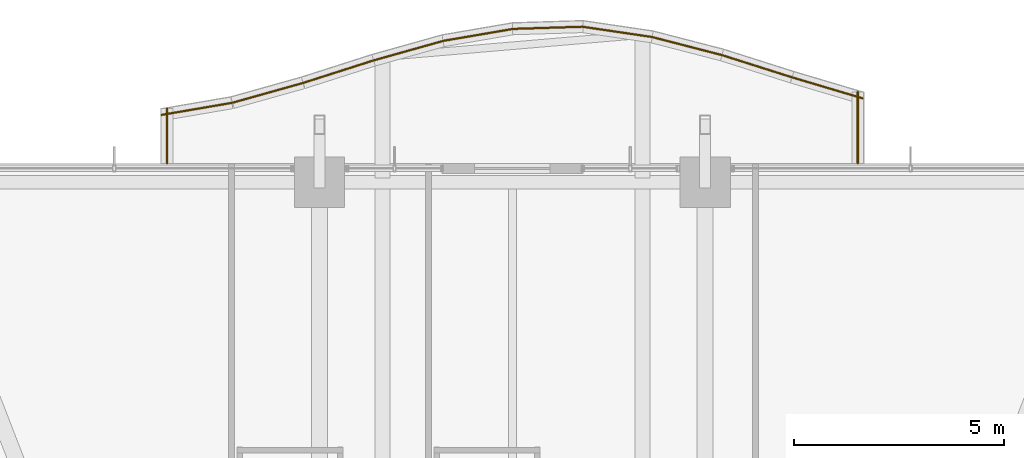
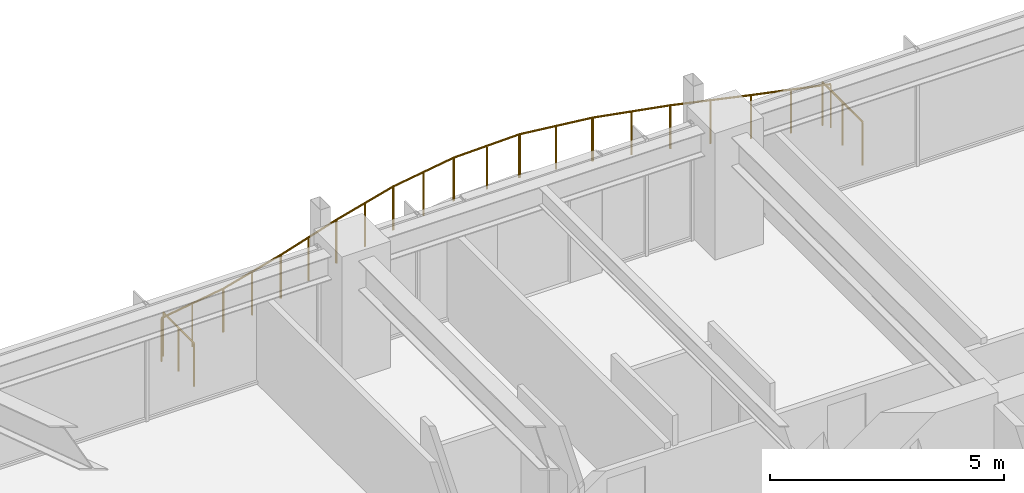
# One storey, part 38 of 38: 12 railings.
"""IFC4 building model written with IfcOpenShell, lengths in metres."""

import ifcopenshell
import ifcopenshell.guid

model = None  # the IFC model being written
_history = None  # IfcOwnerHistory: only IFC2X3 demands one
_inside = {}  # id of a spatial element -> (the spatial element, [elements in it])
_under = {}  # id of a project, library or spatial element -> (it, [spatial elements below it])
_declared = {}  # id of a project -> (the project, [libraries it declares])
_typed = {}  # id of a type object -> (the type object, [elements of that type])
_made_of = {}  # id of a material, layer set ... -> (it, [elements and type objects made of it])


def new_model(schema):
    """Start an empty IFC model of exactly this schema.

    Asked for "IFC4X3", IfcOpenShell would pick the latest addendum, in which some entities
    have other attributes; the version numbers below select the first issue.
    IFC2X3 requires an IfcOwnerHistory on every rooted entity: one is made here for all.
    """
    global model, _history
    if schema == "IFC4X3":
        model = ifcopenshell.file(schema_version=(4, 3, 0, 0))
    else:
        model = ifcopenshell.file(schema=schema)
    _inside.clear()
    _under.clear()
    _declared.clear()
    _typed.clear()
    _made_of.clear()
    _history = None
    if model.schema == "IFC2X3":
        org = make("IfcOrganization", Name="unknown")
        user = make(
            "IfcPersonAndOrganization",
            ThePerson=make("IfcPerson", FamilyName="unknown"),
            TheOrganization=org,
        )
        app = make(
            "IfcApplication",
            ApplicationDeveloper=org,
            Version="unknown",
            ApplicationFullName="unknown",
            ApplicationIdentifier="unknown",
        )
        _history = make(
            "IfcOwnerHistory",
            OwningUser=user,
            OwningApplication=app,
            ChangeAction="ADDED",
            CreationDate=0,
        )
    return model


def make(cls, **values):
    """One entity of the class cls with the attributes given. An attribute that is None is left unset."""
    return model.create_entity(
        cls, **{name: value for name, value in values.items() if value is not None}
    )


def rooted(cls, **values):
    """An entity with a GlobalId (a new one), such as an element, a storey or a relation."""
    return make(cls, GlobalId=ifcopenshell.guid.new(), OwnerHistory=_history, **values)


def si_unit(unit_type, name, prefix=None):
    """IfcSIUnit, for example si_unit("LENGTHUNIT", "METRE", prefix="MILLI")."""
    return make("IfcSIUnit", UnitType=unit_type, Prefix=prefix, Name=name)


def assignment(units):
    """IfcUnitAssignment: the units of a project."""
    return None if units is None else make("IfcUnitAssignment", Units=units)


def point(xyz):
    """IfcCartesianPoint."""
    return None if xyz is None else make("IfcCartesianPoint", Coordinates=xyz)


def direction(xyz):
    """IfcDirection."""
    return None if xyz is None else make("IfcDirection", DirectionRatios=xyz)


def frame(location, z_axis=None, x_axis=None):
    """IfcAxis2Placement3D, a coordinate frame: its origin and axes. An axis left out is left unset."""
    return make(
        "IfcAxis2Placement3D",
        Location=point(location),
        Axis=direction(z_axis),
        RefDirection=direction(x_axis),
    )


def frame_2d(location, x_axis=None):
    """IfcAxis2Placement2D, a coordinate frame in the plane: its origin and x axis."""
    return make(
        "IfcAxis2Placement2D", Location=point(location), RefDirection=direction(x_axis)
    )


def origin():
    """The frame at (0, 0, 0) with its axes left unset."""
    return frame((0.0, 0.0, 0.0))


def origin_2d():
    """The frame at (0, 0) in the plane with its x axis left unset."""
    return frame_2d((0.0, 0.0))


def place(relative_to, where):
    """IfcLocalPlacement: puts the frame where relative to a parent placement (None: the world)."""
    return make(
        "IfcLocalPlacement", PlacementRelTo=relative_to, RelativePlacement=where
    )


def context(
    kind, dimensions, precision=None, world=None, true_north=None, identifier=None
):
    """IfcGeometricRepresentationContext, for example the 3D "Model" context."""
    return make(
        "IfcGeometricRepresentationContext",
        ContextIdentifier=identifier,
        ContextType=kind,
        CoordinateSpaceDimension=dimensions,
        Precision=precision,
        WorldCoordinateSystem=world,
        TrueNorth=true_north,
    )


def subcontext(parent, identifier, kind, view, scale=None):
    """IfcGeometricRepresentationSubContext, for example "Body" below "Model"."""
    return make(
        "IfcGeometricRepresentationSubContext",
        ContextIdentifier=identifier,
        ContextType=kind,
        ParentContext=parent,
        TargetScale=scale,
        TargetView=view,
    )


def project(units=None, contexts=None):
    """IfcProject with its units and contexts."""
    return rooted(
        "IfcProject",
        Name="project",
        RepresentationContexts=contexts,
        UnitsInContext=assignment(units),
    )


def spatial(cls, under=None, at=None, **own):
    """A site, building, storey or space (cls), placed at a placement, below another one or the project."""
    s = rooted(cls, ObjectPlacement=at, **own)
    if under is not None:
        _under.setdefault(under.id(), (under, []))[1].append(s)
    return s


def profile(cls, at=None, kind="AREA", **sizes):
    """A parametric profile (cls). Its sizes go by their IFC names, for example OverallWidth=200.0."""
    return make(cls, ProfileType=kind, Position=at, **sizes)


def circle(**sizes):
    """IfcCircleProfileDef."""
    return profile("IfcCircleProfileDef", **sizes)


def extrude(swept, where, along, depth):
    """IfcExtrudedAreaSolid: the profile swept, set in the frame where, extruded along a direction by depth."""
    return make(
        "IfcExtrudedAreaSolid",
        SweptArea=swept,
        Position=where,
        ExtrudedDirection=direction(along),
        Depth=depth,
    )


def shape(context_of_items, identifier, shape_type, items):
    """IfcShapeRepresentation: the items that make up one representation, for example the "Body"."""
    return make(
        "IfcShapeRepresentation",
        ContextOfItems=context_of_items,
        RepresentationIdentifier=identifier,
        RepresentationType=shape_type,
        Items=items,
    )


def material(Name=None, Category=None):
    """IfcMaterial."""
    return make("IfcMaterial", Name=Name, Category=Category)


def made_of(thing, what):
    """Note that an element or type object is made of a material, layer set ...; save() writes the relation."""
    if what is not None:
        _made_of.setdefault(what.id(), (what, []))[1].append(thing)
    return thing


def type_object(cls, material=None, **own):
    """A type object (cls), such as IfcWallType, which elements share."""
    return made_of(rooted(cls, **own), material)


def element(
    cls,
    number,
    at=None,
    inside=None,
    cuts=None,
    type_object=None,
    material=None,
    context=None,
    identifier="Body",
    shape_type=None,
    held_by="IfcProductDefinitionShape",
    body=None,
    shapes=None,
    **own,
):
    """One element of the class cls, such as IfcWall. Its Tag is "e" and its number.

    at: its placement. inside: the storey or other place that contains it. cuts: it is an
    opening in that element (IfcRelVoidsElement). A single representation is given by context,
    identifier, shape_type and body (its items); several are given by shapes. held_by: the class
    of the entity that holds the representations. save() writes the other relations.
    """
    e = rooted(cls, Tag="e%d" % number, ObjectPlacement=at, **own)
    if body is not None:
        shapes = [shape(context, identifier, shape_type, body)]
    if shapes is not None:
        e.Representation = make(held_by, Representations=shapes)
    if inside is not None:
        _inside.setdefault(inside.id(), (inside, []))[1].append(e)
    if cuts is not None:
        rooted(
            "IfcRelVoidsElement", RelatingBuildingElement=cuts, RelatedOpeningElement=e
        )
    if type_object is not None:
        _typed.setdefault(type_object.id(), (type_object, []))[1].append(e)
    return made_of(e, material)


def aggregate(whole, parts):
    """IfcRelAggregates: a whole, such as a stair, and the parts it consists of."""
    return rooted("IfcRelAggregates", RelatingObject=whole, RelatedObjects=parts)


def save(model, path):
    """Write the relations noted so far, then the file.

    IfcRelAggregates (storeys below a building ...), IfcRelContainedInSpatialStructure (elements
    in a storey), IfcRelDefinesByType, IfcRelAssociatesMaterial and IfcRelDeclares: one each for
    every whole, place, type object, material and project.
    """
    for whole, parts in _under.values():
        aggregate(whole, parts)
    for where, things in _inside.values():
        rooted(
            "IfcRelContainedInSpatialStructure",
            RelatedElements=things,
            RelatingStructure=where,
        )
    for kind, things in _typed.values():
        rooted("IfcRelDefinesByType", RelatedObjects=things, RelatingType=kind)
    for what, things in _made_of.values():
        rooted("IfcRelAssociatesMaterial", RelatedObjects=things, RelatingMaterial=what)
    for by, libraries in _declared.values():
        rooted("IfcRelDeclares", RelatingContext=by, RelatedDefinitions=libraries)
    model.write(path)


model = new_model("IFC4")

# Units and contexts
model_context = context("Model", 3, precision=1e-05, world=origin(), true_north=direction((0.0, 1.0)))
body_context = subcontext(model_context, "Body", "Model", "MODEL_VIEW")
ifc_project = project(units=[si_unit("LENGTHUNIT", "METRE"), si_unit("AREAUNIT", "SQUARE_METRE"), si_unit("VOLUMEUNIT", "CUBIC_METRE"), si_unit("PLANEANGLEUNIT", "RADIAN"), si_unit("MASSUNIT", "GRAM", prefix="KILO")], contexts=[model_context])

# Site, building, storey
site_placement = place(None, origin())
site = spatial("IfcSite", under=ifc_project, at=site_placement, CompositionType="ELEMENT")
building_placement = place(site_placement, origin())
building = spatial("IfcBuilding", under=site, at=building_placement, Name="Kolvaren Belvedere", CompositionType="ELEMENT")
storey_placement = place(building_placement, frame((0.0, 0.0, 50.199951171875)))
storey = spatial("IfcBuildingStorey", under=building, at=storey_placement, Name="L14", CompositionType="ELEMENT", Elevation=50.199951171875)

# Railings
ifc_material = material(Name="Anodised pale-metal aluminium & laminated glass guard", Category="aluminium")
railing_type = type_object("IfcRailingType", Name="RL-GUARD-1150", PredefinedType="GUARDRAIL", material=ifc_material)
railing_1_placement = place(storey_placement, frame((8.239990234375, 22.0, 0.360107421875)))
element("IfcRailing", 1, at=railing_1_placement, inside=storey, type_object=railing_type, Name="L14 Exterior Deck Safety Guard BAL-N-11", PredefinedType="GUARDRAIL", context=body_context, shape_type="SweptSolid", body=[
    extrude(circle(Radius=0.02392578125, at=origin_2d()), frame((0.0, 0.0, 1.1259765625), z_axis=(0.0, 1.0, 0.0), x_axis=(-1.0, 0.0, 0.0)), (0.0, 0.0, 1.0), 1.705078125),
    extrude(circle(Radius=0.02099609375, at=origin_2d()), origin(), (0.0, 0.0, 1.0), 1.101806640625),
    extrude(circle(Radius=0.02099609375, at=origin_2d()), frame((0.0, 0.8525390625, 0.0)), (0.0, 0.0, 1.0), 1.101806640625),
    extrude(circle(Radius=0.02099609375, at=origin_2d()), frame((0.0, 1.705078125, 0.0)), (0.0, 0.0, 1.0), 1.101806640625),
])
railing_2_placement = place(storey_placement, frame((8.3544921875, 23.5517578125, 0.360107421875)))
element("IfcRailing", 2, at=railing_2_placement, inside=storey, type_object=railing_type, Name="L14 Exterior Deck Safety Guard BAL-N-12", PredefinedType="GUARDRAIL", context=body_context, shape_type="SweptSolid", body=[
    extrude(circle(Radius=0.02392578125, at=origin_2d()), frame((0.0, 0.0, 1.1259765625), z_axis=(-0.958536356279, 0.284970268083, 0.0), x_axis=(-0.284970268083, -0.958536356279, 0.0)), (0.0, 0.0, 1.0), 1.7529296875),
    extrude(circle(Radius=0.02099609375, at=origin_2d()), origin(), (0.0, 0.0, 1.0), 1.101806640625),
    extrude(circle(Radius=0.02099609375, at=origin_2d()), frame((-0.840087890625, 0.249755859375, 0.0)), (0.0, 0.0, 1.0), 1.101806640625),
    extrude(circle(Radius=0.02099609375, at=origin_2d()), frame((-1.68017578125, 0.49951171875, 0.0)), (0.0, 0.0, 1.0), 1.101806640625),
])
railing_3_placement = place(storey_placement, frame((6.671630859375, 24.052001953125, 0.360107421875)))
element("IfcRailing", 3, at=railing_3_placement, inside=storey, type_object=railing_type, Name="L14 Exterior Deck Safety Guard BAL-N-13", PredefinedType="GUARDRAIL", context=body_context, shape_type="SweptSolid", body=[
    extrude(circle(Radius=0.02392578125, at=origin_2d()), frame((0.0, 0.0, 1.1259765625), z_axis=(-0.953142020151, 0.302523204768, 0.0), x_axis=(-0.302523204768, -0.953142020151, 0.0)), (0.0, 0.0, 1.0), 1.762451171875),
    extrude(circle(Radius=0.02099609375, at=origin_2d()), origin(), (0.0, 0.0, 1.0), 1.101806640625),
    extrude(circle(Radius=0.02099609375, at=origin_2d()), frame((-0.83984375, 0.2666015625, 0.0)), (0.0, 0.0, 1.0), 1.101806640625),
    extrude(circle(Radius=0.02099609375, at=origin_2d()), frame((-1.679931640625, 0.533203125, 0.0)), (0.0, 0.0, 1.0), 1.101806640625),
])
railing_4_placement = place(storey_placement, frame((5.0, 24.582763671875, 0.360107421875)))
element("IfcRailing", 4, at=railing_4_placement, inside=storey, type_object=railing_type, Name="L14 Exterior Deck Safety Guard BAL-N-14", PredefinedType="GUARDRAIL", context=body_context, shape_type="SweptSolid", body=[
    extrude(circle(Radius=0.02392578125, at=origin_2d()), frame((0.0, 0.0, 1.1259765625), z_axis=(-0.968141031826, 0.250405556038, 0.0), x_axis=(-0.250405556038, -0.968141031826, 0.0)), (0.0, 0.0, 1.0), 1.7353515625),
    extrude(circle(Radius=0.02099609375, at=origin_2d()), origin(), (0.0, 0.0, 1.0), 1.101806640625),
    extrude(circle(Radius=0.02099609375, at=origin_2d()), frame((-0.840087890625, 0.21728515625, 0.0)), (0.0, 0.0, 1.0), 1.101806640625),
    extrude(circle(Radius=0.02099609375, at=origin_2d()), frame((-1.68017578125, 0.4345703125, 0.0)), (0.0, 0.0, 1.0), 1.101806640625),
])
railing_5_placement = place(storey_placement, frame((3.336669921875, 25.013916015625, 0.360107421875)))
element("IfcRailing", 5, at=railing_5_placement, inside=storey, type_object=railing_type, Name="L14 Exterior Deck Safety Guard BAL-N-15", PredefinedType="GUARDRAIL", context=body_context, shape_type="SweptSolid", body=[
    extrude(circle(Radius=0.02392578125, at=origin_2d()), frame((0.0, 0.0, 1.1259765625), z_axis=(-0.989295127716, 0.145928579368, 0.0), x_axis=(-0.145928579368, -0.989295127716, 0.0)), (0.0, 0.0, 1.0), 1.697998046875),
    extrude(circle(Radius=0.02099609375, at=origin_2d()), origin(), (0.0, 0.0, 1.0), 1.101806640625),
    extrude(circle(Radius=0.02099609375, at=origin_2d()), frame((-0.83984375, 0.1240234375, 0.0)), (0.0, 0.0, 1.0), 1.101806640625),
    extrude(circle(Radius=0.02099609375, at=origin_2d()), frame((-1.679931640625, 0.247802734375, 0.0)), (0.0, 0.0, 1.0), 1.101806640625),
])
railing_6_placement = place(storey_placement, frame((1.68505859375, 25.260009765625, 0.360107421875)))
element("IfcRailing", 6, at=railing_6_placement, inside=storey, type_object=railing_type, Name="L14 Exterior Deck Safety Guard BAL-N-16", PredefinedType="GUARDRAIL", context=body_context, shape_type="SweptSolid", body=[
    extrude(circle(Radius=0.02392578125, at=origin_2d()), frame((0.0, 0.0, 1.1259765625), z_axis=(-0.999507816048, -0.031370777138, 0.0), x_axis=(0.031370777138, -0.999507816048, 0.0)), (0.0, 0.0, 1.0), 1.680908203125),
    extrude(circle(Radius=0.02099609375, at=origin_2d()), origin(), (0.0, 0.0, 1.0), 1.101806640625),
    extrude(circle(Radius=0.02099609375, at=origin_2d()), frame((-0.840087890625, -0.0263671875, 0.0)), (0.0, 0.0, 1.0), 1.101806640625),
    extrude(circle(Radius=0.02099609375, at=origin_2d()), frame((-1.68017578125, -0.052734375, 0.0)), (0.0, 0.0, 1.0), 1.101806640625),
])
railing_7_placement = place(storey_placement, frame((0.027099609375, 25.20947265625, 0.360107421875)))
element("IfcRailing", 7, at=railing_7_placement, inside=storey, type_object=railing_type, Name="L14 Exterior Deck Safety Guard BAL-N-17", PredefinedType="GUARDRAIL", context=body_context, shape_type="SweptSolid", body=[
    extrude(circle(Radius=0.02392578125, at=origin_2d()), frame((0.0, 0.0, 1.1259765625), z_axis=(-0.985640648378, -0.168856484225, 0.0), x_axis=(0.168856484225, -0.985640648378, 0.0)), (0.0, 0.0, 1.0), 1.70458984375),
    extrude(circle(Radius=0.02099609375, at=origin_2d()), origin(), (0.0, 0.0, 1.0), 1.101806640625),
    extrude(circle(Radius=0.02099609375, at=origin_2d()), frame((-0.840087890625, -0.14404296875, 0.0)), (0.0, 0.0, 1.0), 1.101806640625),
    extrude(circle(Radius=0.02099609375, at=origin_2d()), frame((-1.68017578125, -0.287841796875, 0.0)), (0.0, 0.0, 1.0), 1.101806640625),
])
railing_8_placement = place(storey_placement, frame((-1.63671875, 24.92529296875, 0.360107421875)))
element("IfcRailing", 8, at=railing_8_placement, inside=storey, type_object=railing_type, Name="L14 Exterior Deck Safety Guard BAL-N-18", PredefinedType="GUARDRAIL", context=body_context, shape_type="SweptSolid", body=[
    extrude(circle(Radius=0.02392578125, at=origin_2d()), frame((0.0, 0.0, 1.1259765625), z_axis=(-0.962926227834, -0.269764860108, 0.0), x_axis=(0.269764860108, -0.962926227834, 0.0)), (0.0, 0.0, 1.0), 1.744873046875),
    extrude(circle(Radius=0.02099609375, at=origin_2d()), origin(), (0.0, 0.0, 1.0), 1.101806640625),
    extrude(circle(Radius=0.02099609375, at=origin_2d()), frame((-0.840087890625, -0.2353515625, 0.0)), (0.0, 0.0, 1.0), 1.101806640625),
    extrude(circle(Radius=0.02099609375, at=origin_2d()), frame((-1.68017578125, -0.470703125, 0.0)), (0.0, 0.0, 1.0), 1.101806640625),
])
railing_9_placement = place(storey_placement, frame((-3.311279296875, 24.456298828125, 0.360107421875)))
element("IfcRailing", 9, at=railing_9_placement, inside=storey, type_object=railing_type, Name="L14 Exterior Deck Safety Guard BAL-N-19", PredefinedType="GUARDRAIL", context=body_context, shape_type="SweptSolid", body=[
    extrude(circle(Radius=0.02392578125, at=origin_2d()), frame((0.0, 0.0, 1.1259765625), z_axis=(-0.952461105499, -0.304660208284, 0.0), x_axis=(0.304660208284, -0.952461105499, 0.0)), (0.0, 0.0, 1.0), 1.763671875),
    extrude(circle(Radius=0.02099609375, at=origin_2d()), origin(), (0.0, 0.0, 1.0), 1.101806640625),
    extrude(circle(Radius=0.02099609375, at=origin_2d()), frame((-0.83984375, -0.2685546875, 0.0)), (0.0, 0.0, 1.0), 1.101806640625),
    extrude(circle(Radius=0.02099609375, at=origin_2d()), frame((-1.679931640625, -0.537353515625, 0.0)), (0.0, 0.0, 1.0), 1.101806640625),
])
railing_10_placement = place(storey_placement, frame((-4.996826171875, 23.917236328125, 0.360107421875)))
element("IfcRailing", 10, at=railing_10_placement, inside=storey, type_object=railing_type, Name="L14 Exterior Deck Safety Guard BAL-N-20", PredefinedType="GUARDRAIL", context=body_context, shape_type="SweptSolid", body=[
    extrude(circle(Radius=0.02392578125, at=origin_2d()), frame((0.0, 0.0, 1.1259765625), z_axis=(-0.962916043401, -0.269801210823, 0.0), x_axis=(0.269801210823, -0.962916043401, 0.0)), (0.0, 0.0, 1.0), 1.74462890625),
    extrude(circle(Radius=0.02099609375, at=origin_2d()), origin(), (0.0, 0.0, 1.0), 1.101806640625),
    extrude(circle(Radius=0.02099609375, at=origin_2d()), frame((-0.83984375, -0.2353515625, 0.0)), (0.0, 0.0, 1.0), 1.101806640625),
    extrude(circle(Radius=0.02099609375, at=origin_2d()), frame((-1.679931640625, -0.470703125, 0.0)), (0.0, 0.0, 1.0), 1.101806640625),
])
railing_11_placement = place(storey_placement, frame((-6.693115234375, 23.443115234375, 0.360107421875)))
element("IfcRailing", 11, at=railing_11_placement, inside=storey, type_object=railing_type, Name="L14 Exterior Deck Safety Guard BAL-N-21", PredefinedType="GUARDRAIL", context=body_context, shape_type="SweptSolid", body=[
    extrude(circle(Radius=0.02392578125, at=origin_2d()), frame((0.0, 0.0, 1.1259765625), z_axis=(-0.985636563949, -0.16888032392, 0.0), x_axis=(0.16888032392, -0.985636563949, 0.0)), (0.0, 0.0, 1.0), 1.704345703125),
    extrude(circle(Radius=0.02099609375, at=origin_2d()), origin(), (0.0, 0.0, 1.0), 1.101806640625),
    extrude(circle(Radius=0.02099609375, at=origin_2d()), frame((-0.83984375, -0.14404296875, 0.0)), (0.0, 0.0, 1.0), 1.101806640625),
    extrude(circle(Radius=0.02099609375, at=origin_2d()), frame((-1.679931640625, -0.287841796875, 0.0)), (0.0, 0.0, 1.0), 1.101806640625),
])
railing_12_placement = place(storey_placement, frame((-8.239990234375, 23.31298828125, 0.360107421875)))
element("IfcRailing", 12, at=railing_12_placement, inside=storey, type_object=railing_type, Name="L14 Exterior Deck Safety Guard BAL-N-22", PredefinedType="GUARDRAIL", context=body_context, shape_type="SweptSolid", body=[
    extrude(circle(Radius=0.02392578125, at=origin_2d()), frame((0.0, 0.0, 1.1259765625), z_axis=(0.0, -1.0, 0.0), x_axis=(1.0, 0.0, 0.0)), (0.0, 0.0, 1.0), 1.31298828125),
    extrude(circle(Radius=0.02099609375, at=origin_2d()), origin(), (0.0, 0.0, 1.0), 1.101806640625),
    extrude(circle(Radius=0.02099609375, at=origin_2d()), frame((0.0, -0.656494140625, 0.0)), (0.0, 0.0, 1.0), 1.101806640625),
    extrude(circle(Radius=0.02099609375, at=origin_2d()), frame((0.0, -1.31298828125, 0.0)), (0.0, 0.0, 1.0), 1.101806640625),
])

save(model, "model.ifc")
